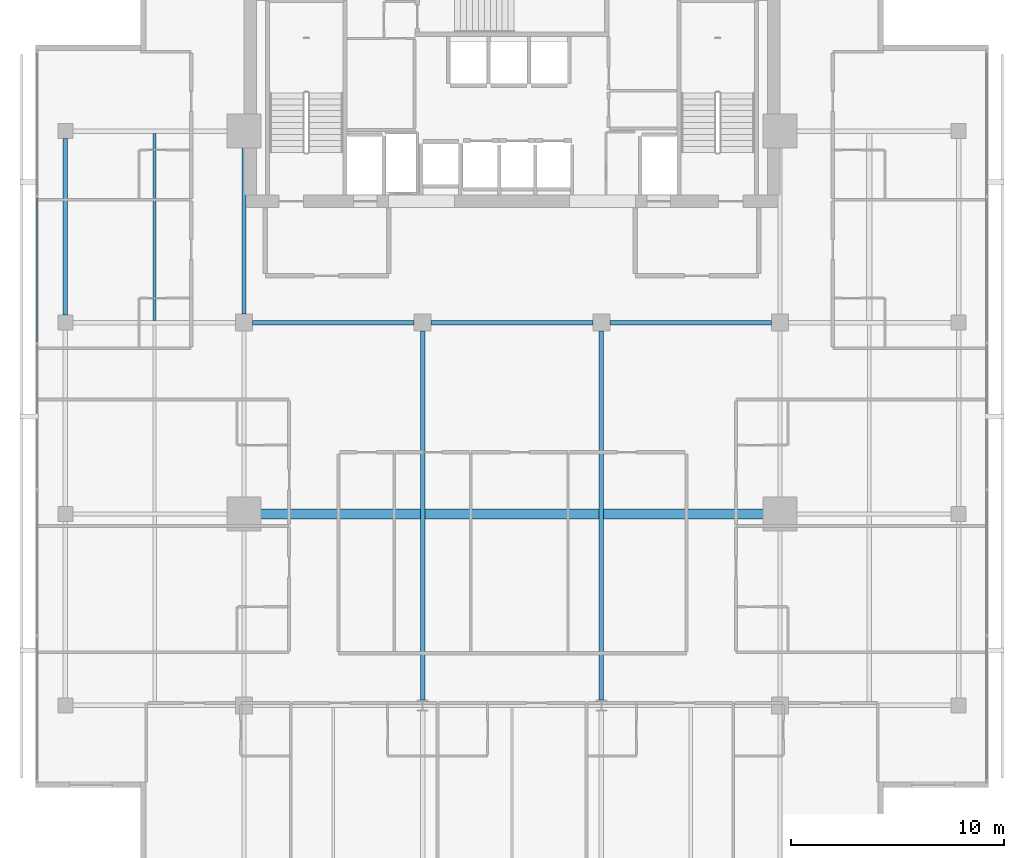
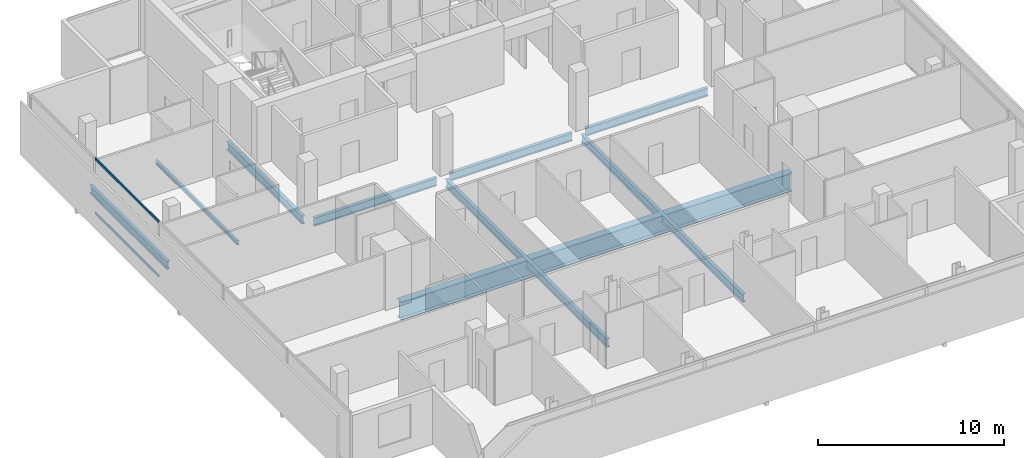
# One storey, part 9 of 25: 9 beams, 2 members, 1 element without a shape of its own.
"""IFC4 building model written with IfcOpenShell, lengths in metres."""

from ifc_helpers import new_model, si_unit, direction, frame, origin, origin_2d, place, context, subcontext, project, spatial, hollow_rectangle, i_section, extrude, material, layer, layer_set, material_profile, profile_set, type_object, element, aggregate, save


model = new_model("IFC4")

# Units and contexts
model_context = context("Model", 3, precision=1e-05, world=origin(), true_north=direction((0.0, 1.0)))
body_context = subcontext(model_context, "Body", "Model", "MODEL_VIEW")
ifc_project = project(units=[si_unit("LENGTHUNIT", "METRE"), si_unit("AREAUNIT", "SQUARE_METRE"), si_unit("VOLUMEUNIT", "CUBIC_METRE"), si_unit("PLANEANGLEUNIT", "RADIAN"), si_unit("MASSUNIT", "GRAM", prefix="KILO")], contexts=[model_context])

# Site, building, storey
site_placement = place(None, origin())
site = spatial("IfcSite", under=ifc_project, at=site_placement, CompositionType="ELEMENT")
building_placement = place(site_placement, origin())
building = spatial("IfcBuilding", under=site, at=building_placement, Name="Maruvema Waterfront Hotel and Observation Tower", CompositionType="ELEMENT")
storey_placement = place(building_placement, frame((0.0, 0.0, 262.5)))
storey = spatial("IfcBuildingStorey", under=building, at=storey_placement, Name="L64", CompositionType="ELEMENT", Elevation=262.5)

# Curtain wall, members
ifc_material_1 = material(Name="Anodised bronze aluminium and solar-control low-E IGU", Category="aluminium")
ifc_layer = layer(ifc_material_1, 0.159912109375, Name="Zone 3 Champagne Inner Thermal Curtain Wall System CW-04")
ifc_layer_set = layer_set([ifc_layer], Name="Anodised bronze aluminium and solar-control low-E IGU")
curtain_wall_type = type_object("IfcCurtainWallType", Name="Zone 3 Champagne Inner Thermal Curtain Wall System CW-04", PredefinedType="USERDEFINED", material=ifc_layer_set)
curtain_wall_placement = place(storey_placement, origin())
curtain_wall = element("IfcCurtainWall", 1, at=curtain_wall_placement, inside=storey, type_object=curtain_wall_type, Name="L64 Curtain Wall CW-L64-W", ObjectType="UNITISED CURTAIN WALL", PredefinedType="USERDEFINED")
ifc_material_2 = material(Name="Anodised architectural bronze aluminium", Category="aluminium")
ifc_material_profile_1 = material_profile(ifc_material_2, hollow_rectangle(XDim=0.070068359375, YDim=0.14990234375, WallThickness=0.00390625, at=origin_2d()), Name="ALU-T70x150")
ifc_profile_set_1 = profile_set([ifc_material_profile_1], Name="Anodised architectural bronze aluminium")
member_type = type_object("IfcMemberType", Name="Curtain Wall Horizontal Transom ALU-T70x150", PredefinedType="USERDEFINED", material=ifc_profile_set_1)
member_1_placement = place(storey_placement, frame((15.47998046875, 41.889892578125, 0.030029296875), z_axis=(0.0, -1.0, 0.0), x_axis=(1.0, 0.0, 0.0)))
member_1 = element("IfcMember", 2, at=member_1_placement, type_object=member_type, Name="CW-04 transom 2.1", ObjectType="TRANSOM", PredefinedType="USERDEFINED", context=body_context, shape_type="SweptSolid", body=[
    extrude(hollow_rectangle(XDim=0.070068359375, YDim=0.14990234375, WallThickness=0.00390625, at=origin_2d()), origin(), (0.0, 0.0, 1.0), 6.81982421875),
])
member_2_placement = place(storey_placement, frame((15.47998046875, 41.889892578125, 3.580078125), z_axis=(0.0, -1.0, 0.0), x_axis=(1.0, 0.0, 0.0)))
member_2 = element("IfcMember", 3, at=member_2_placement, type_object=member_type, Name="CW-04 transom 2.2", ObjectType="TRANSOM", PredefinedType="USERDEFINED", context=body_context, shape_type="SweptSolid", body=[
    extrude(hollow_rectangle(XDim=0.070068359375, YDim=0.14990234375, WallThickness=0.00390625, at=origin_2d()), origin(), (0.0, 0.0, 1.0), 6.81982421875),
])
aggregate(curtain_wall, [member_1, member_2])

# Beams
ifc_material_3 = material(Name="Steel ASTM A572 Grade 50", Category="steel")
ifc_material_profile_2 = material_profile(ifc_material_3, i_section(OverallWidth=0.208984375, OverallDepth=0.532958984375, WebThickness=0.01025390625, FlangeThickness=0.015625, FilletRadius=0.014892578125, at=origin_2d()), Name="W530x92.0")
ifc_profile_set_2 = profile_set([ifc_material_profile_2], Name="Steel ASTM A572 Grade 50")
beam_type_1 = type_object("IfcBeamType", Name="Primary Floor Girder W530x92.0", PredefinedType="BEAM", material=ifc_profile_set_2)
beam_1_placement = place(storey_placement, frame((25.60009765625, 36.0, -0.506591796875), z_axis=(1.0, 0.0, 0.0), x_axis=(0.0, 1.0, 0.0)))
element("IfcBeam", 4, at=beam_1_placement, inside=storey, type_object=beam_type_1, Name="L64 Floor Girder EW-13", PredefinedType="BEAM", context=body_context, shape_type="SweptSolid", body=[
    extrude(i_section(OverallWidth=0.208984375, OverallDepth=0.532958984375, WebThickness=0.01025390625, FlangeThickness=0.015625, FilletRadius=0.014892578125, at=origin_2d()), origin(), (0.0, 0.0, 1.0), 7.599853515625),
])
for number, where, z_axis, x_axis, name in (
    (5, (34.0, 36.0, -0.506591796875), (1.0, 0.0, 0.0), (0.0, 1.0, 0.0), "L64 Floor Girder EW-14"),
    (6, (42.39990234375, 36.0, -0.506591796875), (1.0, 0.0, 0.0), (0.0, 1.0, 0.0), "L64 Floor Girder EW-15"),
):
    element("IfcBeam", number, at=place(storey_placement, frame(where, z_axis=z_axis, x_axis=x_axis)), inside=storey, type_object=beam_type_1, Name=name, PredefinedType="BEAM", context=body_context, shape_type="SweptSolid", body=[
        extrude(i_section(OverallWidth=0.208984375, OverallDepth=0.532958984375, WebThickness=0.01025390625, FlangeThickness=0.015625, FilletRadius=0.014892578125, at=origin_2d()), origin(), (0.0, 0.0, 1.0), 7.60009765625),
    ])
beam_2_placement = place(storey_placement, frame((16.800048828125, 36.35009765625, -0.506591796875), z_axis=(0.0, 1.0, 0.0), x_axis=(-1.0, 0.0, 0.0)))
element("IfcBeam", 7, at=beam_2_placement, inside=storey, type_object=beam_type_1, Name="L64 Floor Girder NS-03", PredefinedType="BEAM", context=body_context, shape_type="SweptSolid", body=[
    extrude(i_section(OverallWidth=0.208984375, OverallDepth=0.532958984375, WebThickness=0.01025390625, FlangeThickness=0.015625, FilletRadius=0.014892578125, at=origin_2d()), origin(), (0.0, 0.0, 1.0), 8.2998046875),
])
beam_3_placement = place(storey_placement, frame((25.199951171875, 36.39990234375, -0.506591796875), z_axis=(0.0, 1.0, 0.0), x_axis=(-1.0, 0.0, 0.0)))
element("IfcBeam", 8, at=beam_3_placement, inside=storey, type_object=beam_type_1, Name="L64 Floor Girder NS-07", PredefinedType="BEAM", context=body_context, shape_type="SweptSolid", body=[
    extrude(i_section(OverallWidth=0.208984375, OverallDepth=0.532958984375, WebThickness=0.01025390625, FlangeThickness=0.015625, FilletRadius=0.014892578125, at=origin_2d()), origin(), (0.0, 0.0, 1.0), 8.10009765625),
])
for number, where, z_axis, x_axis, name in (
    (9, (33.60009765625, 18.25, -0.506591796875), (0.0, 1.0, 0.0), (-1.0, 0.0, 0.0), "L64 Floor Girder NS-09"),
    (10, (42.0, 18.25, -0.506591796875), (0.0, 1.0, 0.0), (-1.0, 0.0, 0.0), "L64 Floor Girder NS-11"),
):
    element("IfcBeam", number, at=place(storey_placement, frame(where, z_axis=z_axis, x_axis=x_axis)), inside=storey, type_object=beam_type_1, Name=name, PredefinedType="BEAM", context=body_context, shape_type="SweptSolid", body=[
        extrude(i_section(OverallWidth=0.208984375, OverallDepth=0.532958984375, WebThickness=0.01025390625, FlangeThickness=0.015625, FilletRadius=0.014892578125, at=origin_2d()), origin(), (0.0, 0.0, 1.0), 17.35009765625),
    ])
ifc_material_4 = material(Name="Steel ASTM A572 Grade 50", Category="steel")
ifc_material_profile_3 = material_profile(ifc_material_4, i_section(OverallWidth=0.14599609375, OverallDepth=0.258056640625, WebThickness=0.006103515625, FlangeThickness=0.009033203125, FilletRadius=0.012939453125, at=origin_2d()), Name="W250x32.7")
ifc_profile_set_3 = profile_set([ifc_material_profile_3], Name="Steel ASTM A572 Grade 50")
beam_type_2 = type_object("IfcBeamType", Name="Secondary Floor Joist W250x32.7", PredefinedType="JOIST", material=ifc_profile_set_3)
beam_4_placement = place(storey_placement, frame((21.0, 36.1044921875, -0.368896484375), z_axis=(0.0, 1.0, 0.0), x_axis=(-1.0, 0.0, 0.0)))
element("IfcBeam", 11, at=beam_4_placement, inside=storey, type_object=beam_type_2, Name="L64 Secondary Floor Joist JS-03", PredefinedType="JOIST", context=body_context, shape_type="SweptSolid", body=[
    extrude(i_section(OverallWidth=0.14599609375, OverallDepth=0.258056640625, WebThickness=0.006103515625, FlangeThickness=0.009033203125, FilletRadius=0.012939453125, at=origin_2d()), origin(), (0.0, 0.0, 1.0), 8.791015625),
])
ifc_material_5 = material(Name="Steel ABNT NBR 7007 AR 415 (ASTM A572 Grade 50)", Category="steel")
ifc_material_profile_4 = material_profile(ifc_material_5, i_section(OverallWidth=0.449951171875, OverallDepth=1.199951171875, WebThickness=0.01904296875, FlangeThickness=0.031982421875, at=origin_2d()), Name="VS1200x366")
ifc_profile_set_4 = profile_set([ifc_material_profile_4], Name="Steel ABNT NBR 7007 AR 415 (ASTM A572 Grade 50)")
beam_type_3 = type_object("IfcBeamType", Name="Upper Setback Transfer Girder VS1200x366", PredefinedType="USERDEFINED", material=ifc_profile_set_4)
beam_5_placement = place(storey_placement, frame((25.699951171875, 27.0, -0.840087890625), z_axis=(1.0, 0.0, 0.0), x_axis=(0.0, 1.0, 0.0)))
element("IfcBeam", 12, at=beam_5_placement, inside=storey, type_object=beam_type_3, Name="L64 Floor Girder EW-10", ObjectType="TRANSFER GIRDER", PredefinedType="USERDEFINED", context=body_context, shape_type="SweptSolid", body=[
    extrude(i_section(OverallWidth=0.449951171875, OverallDepth=1.199951171875, WebThickness=0.01904296875, FlangeThickness=0.031982421875, at=origin_2d()), origin(), (0.0, 0.0, 1.0), 24.199951171875),
])

save(model, "model.ifc")
